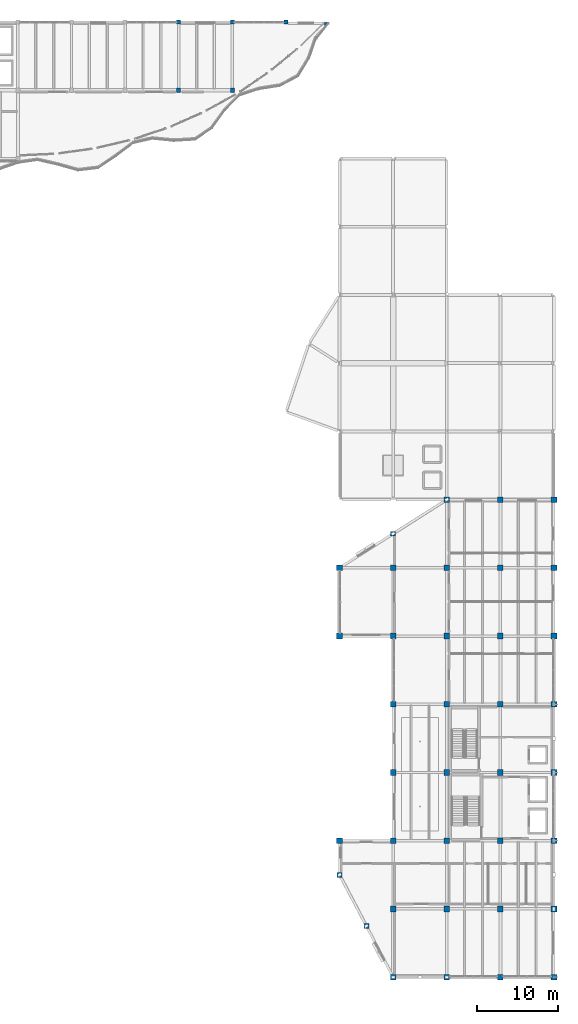
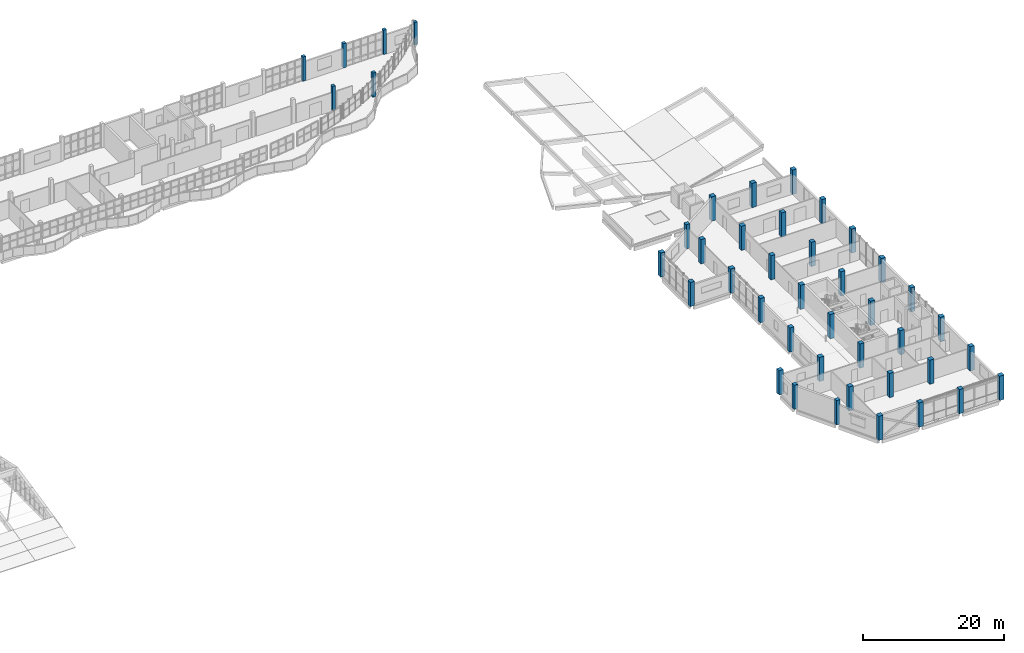
# One storey, part 2 of 47: 43 columns.
"""IFC4 building model written with IfcOpenShell, lengths in metres."""

from ifc_helpers import new_model, si_unit, direction, frame, origin, origin_2d, place, context, subcontext, project, spatial, rectangle, extrude, material, material_profile, profile_set, type_object, element, save


model = new_model("IFC4")

# Units and contexts
model_context = context("Model", 3, precision=1e-05, world=origin(), true_north=direction((0.0, 1.0)))
body_context = subcontext(model_context, "Body", "Model", "MODEL_VIEW")
ifc_project = project(units=[si_unit("LENGTHUNIT", "METRE"), si_unit("AREAUNIT", "SQUARE_METRE"), si_unit("VOLUMEUNIT", "CUBIC_METRE"), si_unit("PLANEANGLEUNIT", "RADIAN"), si_unit("MASSUNIT", "GRAM", prefix="KILO")], contexts=[model_context])

# Site, building, storey
site_placement = place(None, origin())
site = spatial("IfcSite", under=ifc_project, at=site_placement, CompositionType="ELEMENT")
building_placement = place(site_placement, origin())
building = spatial("IfcBuilding", under=site, at=building_placement, Name="Qaldarim Faculty of Natural and Applied Sciences", CompositionType="ELEMENT")
storey_placement = place(building_placement, frame((0.0, 0.0, 22.800048828125)))
storey = spatial("IfcBuildingStorey", under=building, at=storey_placement, Name="L05", CompositionType="ELEMENT", Elevation=22.800048828125)

# Columns
ifc_material_1 = material(Name="Concrete C40/50", Category="concrete")
ifc_material_profile_1 = material_profile(ifc_material_1, rectangle(XDim=0.449951171875, YDim=0.449951171875, at=origin_2d()), Name="RC-C450x450")
ifc_profile_set_1 = profile_set([ifc_material_profile_1], Name="Concrete C40/50")
column_type_1 = type_object("IfcColumnType", Name="Column-RC450x450", PredefinedType="COLUMN", material=ifc_profile_set_1)
column_placement = place(storey_placement, frame((150.14990234375, 117.375, 0.0), z_axis=(0.0, 0.0, 1.0), x_axis=(1.0, 0.0, 0.0)))
element("IfcColumn", 1, at=column_placement, inside=storey, type_object=column_type_1, Name="Special structural column V4-NE L05", PredefinedType="COLUMN", context=body_context, shape_type="SweptSolid", body=[
    extrude(rectangle(XDim=0.449951171875, YDim=0.449951171875, at=origin_2d()), origin(), (0.0, 0.0, 1.0), 3.9599609375),
])
ifc_material_2 = material(Name="Concrete C50/60", Category="concrete")
ifc_material_profile_2 = material_profile(ifc_material_2, rectangle(XDim=0.5, YDim=0.5, at=origin_2d()), Name="RC-C500x500")
ifc_profile_set_2 = profile_set([ifc_material_profile_2], Name="Concrete C50/60")
column_type_2 = type_object("IfcColumnType", Name="Column-RC500x500", PredefinedType="COLUMN", material=ifc_profile_set_2)
for number, where, z_axis, x_axis, name in (
    (2, (132.0, 109.199951171875, 0.0), (0.0, 0.0, 1.0), (1.0, 0.0, 0.0), "Column X21/Y14 L05"),
    (3, (132.0, 117.60009765625, 0.0), (0.0, 0.0, 1.0), (1.0, 0.0, 0.0), "Column X21/Y15 L05"),
    (4, (138.60009765625, 109.199951171875, 0.0), (0.0, 0.0, 1.0), (1.0, 0.0, 0.0), "Column X22/Y14 L05"),
    (5, (138.60009765625, 117.60009765625, 0.0), (0.0, 0.0, 1.0), (1.0, 0.0, 0.0), "Column X22/Y15 L05"),
    (6, (145.199951171875, 117.60009765625, 0.0), (0.0, 0.0, 1.0), (1.0, 0.0, 0.0), "Column X23/Y15 L05"),
):
    element("IfcColumn", number, at=place(storey_placement, frame(where, z_axis=z_axis, x_axis=x_axis)), inside=storey, type_object=column_type_2, Name=name, PredefinedType="COLUMN", context=body_context, shape_type="SweptSolid", body=[
        extrude(rectangle(XDim=0.5, YDim=0.5, at=origin_2d()), origin(), (0.0, 0.0, 1.0), 4.199951171875),
    ])
ifc_material_profile_3 = material_profile(ifc_material_2, rectangle(XDim=0.60009765625, YDim=0.60009765625, at=origin_2d()), Name="RC-C600x600")
ifc_profile_set_3 = profile_set([ifc_material_profile_3], Name="Concrete C50/60")
column_type_3 = type_object("IfcColumnType", Name="Column-RC600x600", PredefinedType="COLUMN", material=ifc_profile_set_3)
for number, where, z_axis, x_axis, name in (
    (7, (151.800048828125, 12.60009765625, 0.0), (0.0, 0.0, 1.0), (1.0, 0.0, 0.0), "Special structural column V5-SW1 L05"),
    (8, (155.10009765625, 6.300048828125, 0.0), (0.0, 0.0, 1.0), (1.0, 0.0, 0.0), "Special structural column V5-SW2 L05"),
    (9, (158.39990234375, 54.60009765625, 0.0), (0.0, 0.0, 1.0), (1.0, 0.0, 0.0), "Special structural column V5-NW6 L05"),
):
    element("IfcColumn", number, at=place(storey_placement, frame(where, z_axis=z_axis, x_axis=x_axis)), inside=storey, type_object=column_type_3, Name=name, PredefinedType="COLUMN", context=body_context, shape_type="SweptSolid", body=[
        extrude(rectangle(XDim=0.60009765625, YDim=0.60009765625, at=origin_2d()), origin(), (0.0, 0.0, 1.0), 4.199951171875),
    ])
ifc_material_profile_4 = material_profile(ifc_material_2, rectangle(XDim=0.699951171875, YDim=0.699951171875, at=origin_2d()), Name="RC-C700x700")
ifc_profile_set_4 = profile_set([ifc_material_profile_4], Name="Concrete C50/60")
column_type_4 = type_object("IfcColumnType", Name="Column-RC700x700", PredefinedType="COLUMN", material=ifc_profile_set_4)
for number, where, z_axis, x_axis, name in (
    (10, (151.800048828125, 16.800048828125, 0.0), (0.0, 0.0, 1.0), (1.0, 0.0, 0.0), "Column X24/Y03 L05"),
    (11, (151.800048828125, 42.0, 0.0), (0.0, 0.0, 1.0), (1.0, 0.0, 0.0), "Column X24/Y06 L05"),
    (12, (151.800048828125, 50.39990234375, 0.0), (0.0, 0.0, 1.0), (1.0, 0.0, 0.0), "Column X24/Y07 L05"),
    (13, (158.39990234375, 0.0, 0.0), (0.0, 0.0, 1.0), (1.0, 0.0, 0.0), "Column X25/Y01 L05"),
    (14, (158.39990234375, 8.39990234375, 0.0), (0.0, 0.0, 1.0), (1.0, 0.0, 0.0), "Column X25/Y02 L05"),
    (15, (158.39990234375, 16.800048828125, 0.0), (0.0, 0.0, 1.0), (1.0, 0.0, 0.0), "Column X25/Y03 L05"),
    (16, (158.39990234375, 25.199951171875, 0.0), (0.0, 0.0, 1.0), (1.0, 0.0, 0.0), "Column X25/Y04 L05"),
    (17, (158.39990234375, 33.60009765625, 0.0), (0.0, 0.0, 1.0), (1.0, 0.0, 0.0), "Column X25/Y05 L05"),
    (18, (158.39990234375, 42.0, 0.0), (0.0, 0.0, 1.0), (1.0, 0.0, 0.0), "Column X25/Y06 L05"),
    (19, (158.39990234375, 50.39990234375, 0.0), (0.0, 0.0, 1.0), (1.0, 0.0, 0.0), "Column X25/Y07 L05"),
    (20, (165.0, 0.0, 0.0), (0.0, 0.0, 1.0), (1.0, 0.0, 0.0), "Column X26/Y01 L05"),
    (21, (165.0, 8.39990234375, 0.0), (0.0, 0.0, 1.0), (1.0, 0.0, 0.0), "Column X26/Y02 L05"),
    (22, (165.0, 16.800048828125, 0.0), (0.0, 0.0, 1.0), (1.0, 0.0, 0.0), "Column X26/Y03 L05"),
    (23, (165.0, 25.199951171875, 0.0), (0.0, 0.0, 1.0), (1.0, 0.0, 0.0), "Column X26/Y04 L05"),
    (24, (165.0, 33.60009765625, 0.0), (0.0, 0.0, 1.0), (1.0, 0.0, 0.0), "Column X26/Y05 L05"),
    (25, (165.0, 42.0, 0.0), (0.0, 0.0, 1.0), (1.0, 0.0, 0.0), "Column X26/Y06 L05"),
    (26, (165.0, 50.39990234375, 0.0), (0.0, 0.0, 1.0), (1.0, 0.0, 0.0), "Column X26/Y07 L05"),
    (27, (165.0, 58.800048828125, 0.0), (0.0, 0.0, 1.0), (1.0, 0.0, 0.0), "Column X26/Y08 L05"),
    (28, (171.60009765625, 0.0, 0.0), (0.0, 0.0, 1.0), (1.0, 0.0, 0.0), "Column X27/Y01 L05"),
    (29, (171.60009765625, 8.39990234375, 0.0), (0.0, 0.0, 1.0), (1.0, 0.0, 0.0), "Column X27/Y02 L05"),
    (30, (171.60009765625, 16.800048828125, 0.0), (0.0, 0.0, 1.0), (1.0, 0.0, 0.0), "Column X27/Y03 L05"),
    (31, (171.60009765625, 25.199951171875, 0.0), (0.0, 0.0, 1.0), (1.0, 0.0, 0.0), "Column X27/Y04 L05"),
    (32, (171.60009765625, 33.60009765625, 0.0), (0.0, 0.0, 1.0), (1.0, 0.0, 0.0), "Column X27/Y05 L05"),
    (33, (171.60009765625, 42.0, 0.0), (0.0, 0.0, 1.0), (1.0, 0.0, 0.0), "Column X27/Y06 L05"),
    (34, (171.60009765625, 50.39990234375, 0.0), (0.0, 0.0, 1.0), (1.0, 0.0, 0.0), "Column X27/Y07 L05"),
    (35, (171.60009765625, 58.800048828125, 0.0), (0.0, 0.0, 1.0), (1.0, 0.0, 0.0), "Column X27/Y08 L05"),
    (36, (178.199951171875, 0.0, 0.0), (0.0, 0.0, 1.0), (1.0, 0.0, 0.0), "Column X28/Y01 L05"),
    (37, (178.199951171875, 8.39990234375, 0.0), (0.0, 0.0, 1.0), (1.0, 0.0, 0.0), "Column X28/Y02 L05"),
    (38, (178.199951171875, 16.800048828125, 0.0), (0.0, 0.0, 1.0), (1.0, 0.0, 0.0), "Column X28/Y03 L05"),
    (39, (178.199951171875, 25.199951171875, 0.0), (0.0, 0.0, 1.0), (1.0, 0.0, 0.0), "Column X28/Y04 L05"),
    (40, (178.199951171875, 33.60009765625, 0.0), (0.0, 0.0, 1.0), (1.0, 0.0, 0.0), "Column X28/Y05 L05"),
    (41, (178.199951171875, 42.0, 0.0), (0.0, 0.0, 1.0), (1.0, 0.0, 0.0), "Column X28/Y06 L05"),
    (42, (178.199951171875, 50.39990234375, 0.0), (0.0, 0.0, 1.0), (1.0, 0.0, 0.0), "Column X28/Y07 L05"),
    (43, (178.199951171875, 58.800048828125, 0.0), (0.0, 0.0, 1.0), (1.0, 0.0, 0.0), "Column X28/Y08 L05"),
):
    element("IfcColumn", number, at=place(storey_placement, frame(where, z_axis=z_axis, x_axis=x_axis)), inside=storey, type_object=column_type_4, Name=name, PredefinedType="COLUMN", context=body_context, shape_type="SweptSolid", body=[
        extrude(rectangle(XDim=0.699951171875, YDim=0.699951171875, at=origin_2d()), origin(), (0.0, 0.0, 1.0), 4.199951171875),
    ])

save(model, "model.ifc")
